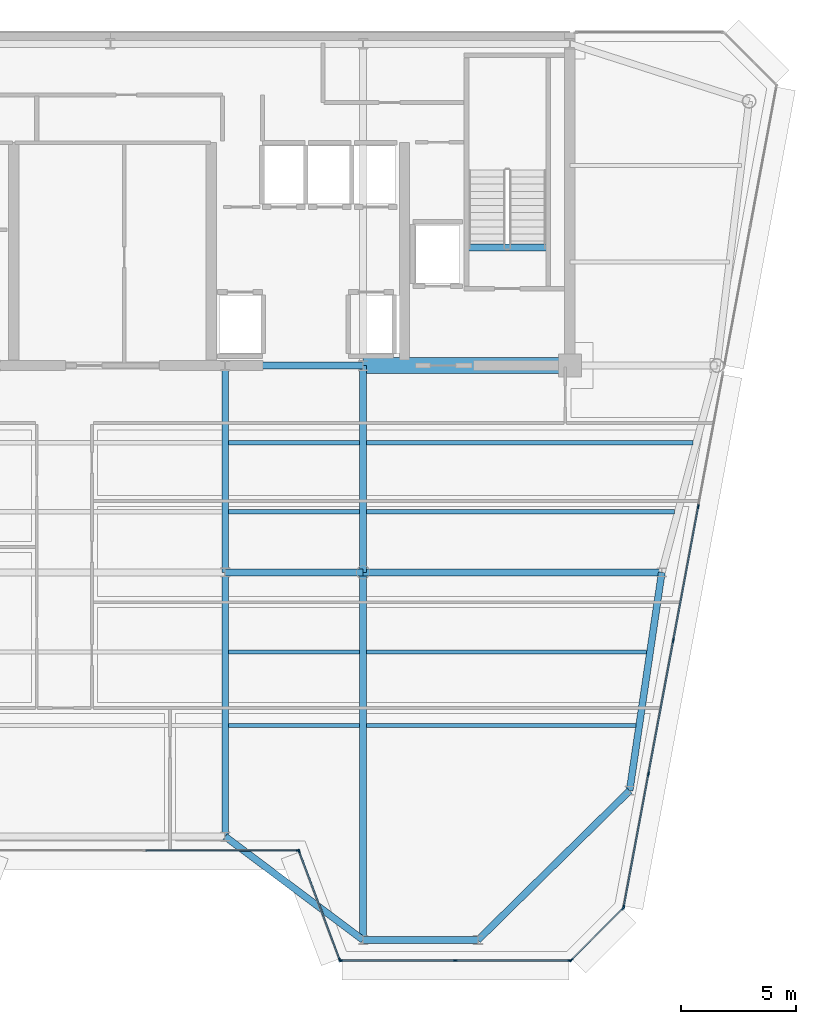
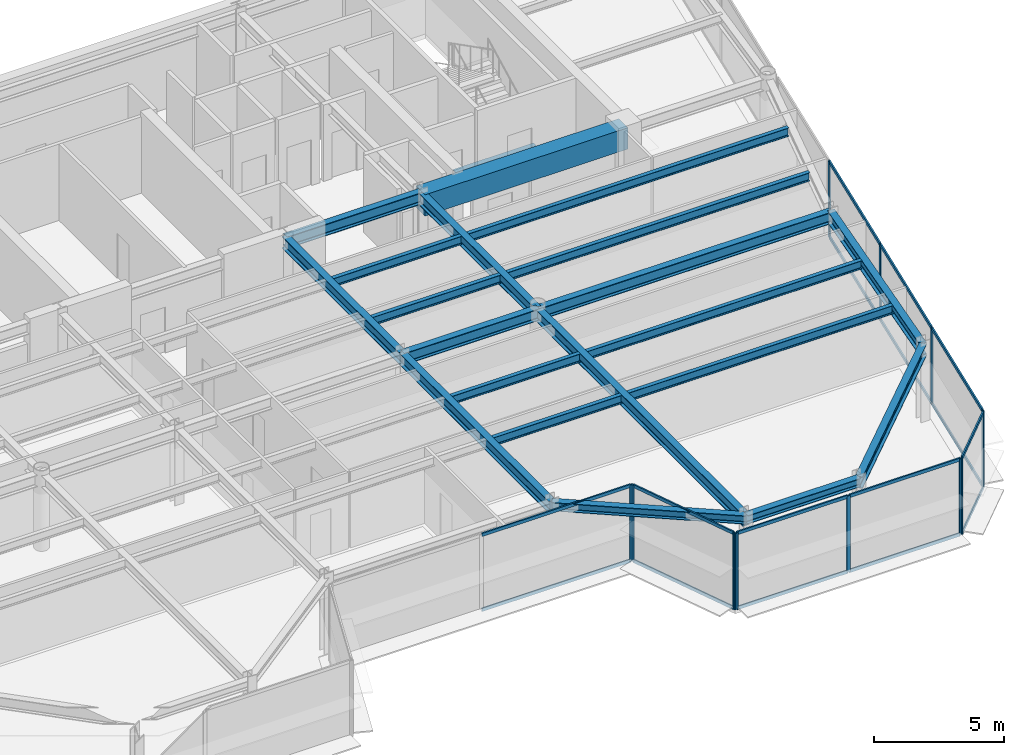
# One storey, part 5 of 18: 28 members, 21 beams, 5 elements without a shape of their own.
"""IFC4 building model written with IfcOpenShell, lengths in metres."""

from ifc_helpers import new_model, si_unit, direction, frame, origin, origin_2d, place, context, subcontext, project, spatial, rectangle, i_section, extrude, source, transform, mapped, material, layer, layer_set, material_profile, profile_set, type_object, element, aggregate, save


model = new_model("IFC4")

# Units and contexts
model_context = context("Model", 3, precision=1e-05, world=origin(), true_north=direction((0.0, 1.0)))
body_context = subcontext(model_context, "Body", "Model", "MODEL_VIEW")
ifc_project = project(units=[si_unit("LENGTHUNIT", "METRE"), si_unit("AREAUNIT", "SQUARE_METRE"), si_unit("VOLUMEUNIT", "CUBIC_METRE"), si_unit("PLANEANGLEUNIT", "RADIAN"), si_unit("MASSUNIT", "GRAM", prefix="KILO")], contexts=[model_context])

# Site, building, storey
site_placement = place(None, origin())
site = spatial("IfcSite", under=ifc_project, at=site_placement, CompositionType="ELEMENT")
building_placement = place(site_placement, origin())
building = spatial("IfcBuilding", under=site, at=building_placement, Name="Vaeldorn Concourse Tower", CompositionType="ELEMENT")
storey_placement = place(building_placement, frame((0.0, 0.0, 261.199951171875)))
storey = spatial("IfcBuildingStorey", under=building, at=storey_placement, Name="L67", CompositionType="ELEMENT", Elevation=261.199951171875)

# Beams
ifc_material_1 = material(Name="Concrete C50/60", Category="concrete")
ifc_material_profile_1 = material_profile(ifc_material_1, rectangle(XDim=0.699951171875, YDim=1.0, at=origin_2d()), Name="RC 700x1000")
ifc_profile_set_1 = profile_set([ifc_material_profile_1], Name="Concrete C50/60")
beam_type_1 = type_object("IfcBeamType", Name="BM-CB-RC700", PredefinedType="BEAM", material=ifc_profile_set_1)
shared_shape_1 = source(origin(), body_context, "Body", "SweptSolid", [
    extrude(rectangle(XDim=0.699951171875, YDim=1.0, at=origin_2d()), origin(), (0.0, 0.0, 1.0), 9.0),
])
beam_1_placement = place(storey_placement, frame((45.0, 36.5, 3.080078125), z_axis=(1.0, 0.0, 0.0), x_axis=(0.0, 1.0, 0.0)))
element("IfcBeam", 1, at=beam_1_placement, inside=storey, type_object=beam_type_1, Name="Core Coupling Beam L67-2", PredefinedType="BEAM", context=body_context, shape_type="MappedRepresentation", body=[
    mapped(shared_shape_1, transform((0.0, 0.0, 0.0), scale=1.0)),
])
ifc_material_2 = material(Name="Steel S355", Category="steel")
ifc_material_profile_2 = material_profile(ifc_material_2, i_section(OverallWidth=0.300048828125, OverallDepth=0.340087890625, WebThickness=0.011962890625, FlangeThickness=0.021484375, FilletRadius=0.027099609375, at=origin_2d()), Name="HEB 340")
ifc_profile_set_2 = profile_set([ifc_material_profile_2], Name="Steel S355")
beam_type_2 = type_object("IfcBeamType", Name="BM-ST-TRIM", PredefinedType="BEAM", material=ifc_profile_set_2)
shared_shape_2 = source(origin(), body_context, "Body", "SweptSolid", [
    extrude(i_section(OverallWidth=0.300048828125, OverallDepth=0.340087890625, WebThickness=0.011962890625, FlangeThickness=0.021484375, FilletRadius=0.027099609375, at=origin_2d()), origin(), (0.0, 0.0, 1.0), 3.590087890625),
])
beam_2_placement = place(storey_placement, frame((49.47998046875, 41.639892578125, -0.389892578125), z_axis=(1.0, 0.0, 0.0), x_axis=(0.0, 1.0, 0.0)))
element("IfcBeam", 2, at=beam_2_placement, inside=storey, type_object=beam_type_2, Name="Stair Landing Trimmer Beam ST-2 L67", PredefinedType="BEAM", context=body_context, shape_type="MappedRepresentation", body=[
    mapped(shared_shape_2, transform((0.0, 0.0, 0.0), scale=1.0)),
])
ifc_material_profile_3 = material_profile(ifc_material_2, i_section(OverallWidth=0.300048828125, OverallDepth=0.39990234375, WebThickness=0.013427734375, FlangeThickness=0.02392578125, FilletRadius=0.027099609375, at=origin_2d()), Name="HEB 400")
ifc_profile_set_3 = profile_set([ifc_material_profile_3], Name="Steel S355")
beam_type_3 = type_object("IfcBeamType", Name="BM-SP-HEB400", PredefinedType="SPANDREL", material=ifc_profile_set_3)
shared_shape_3 = source(origin(), body_context, "Body", "SweptSolid", [
    extrude(i_section(OverallWidth=0.300048828125, OverallDepth=0.39990234375, WebThickness=0.013427734375, FlangeThickness=0.02392578125, FilletRadius=0.027099609375, at=origin_2d()), origin(), (0.0, 0.0, 1.0), 5.0),
])
beam_3_placement = place(storey_placement, frame((45.0, 11.5, 3.380126953125), z_axis=(1.0, 0.0, 0.0), x_axis=(0.0, 1.0, 0.0)))
element("IfcBeam", 3, at=beam_3_placement, inside=storey, type_object=beam_type_3, Name="Beam BM-L67-C-SF5-C-SF6", PredefinedType="SPANDREL", context=body_context, shape_type="MappedRepresentation", body=[
    mapped(shared_shape_3, transform((0.0, 0.0, 0.0), scale=1.0)),
])
shared_shape_4 = source(origin(), body_context, "Body", "SweptSolid", [
    extrude(i_section(OverallWidth=0.300048828125, OverallDepth=0.39990234375, WebThickness=0.013427734375, FlangeThickness=0.02392578125, FilletRadius=0.027099609375, at=origin_2d()), origin(), (0.0, 0.0, 1.0), 7.5),
])
beam_4_placement = place(storey_placement, frame((39.0, 16.0, 3.380126953125), z_axis=(0.8, -0.6, 0.0), x_axis=(0.6, 0.8, 0.0)))
element("IfcBeam", 4, at=beam_4_placement, inside=storey, type_object=beam_type_3, Name="Beam BM-L67-C-SF4-C-SF5", PredefinedType="SPANDREL", context=body_context, shape_type="MappedRepresentation", body=[
    mapped(shared_shape_4, transform((0.0, 0.0, 0.0), scale=1.0)),
])
ifc_material_profile_4 = material_profile(ifc_material_2, i_section(OverallWidth=0.179931640625, OverallDepth=0.39990234375, WebThickness=0.008544921875, FlangeThickness=0.013427734375, FilletRadius=0.02099609375, at=origin_2d()), Name="IPE 400")
ifc_profile_set_4 = profile_set([ifc_material_profile_4], Name="Steel S355")
beam_type_4 = type_object("IfcBeamType", Name="BM-JS-IPE400", PredefinedType="JOIST", material=ifc_profile_set_4)
shared_shape_5 = source(origin(), body_context, "Body", "SweptSolid", [
    extrude(i_section(OverallWidth=0.179931640625, OverallDepth=0.39990234375, WebThickness=0.008544921875, FlangeThickness=0.013427734375, FilletRadius=0.02099609375, at=origin_2d()), origin(), (0.0, 0.0, 1.0), 5.7001953125),
])
for number, where, z_axis, x_axis, name in (
    (5, (39.14990234375, 20.840087890625, 3.380126953125), (1.0, 0.0, 0.0), (0.0, 1.0, 0.0), "Beam JS-L67-E2-208"),
    (6, (39.14990234375, 24.0400390625, 3.380126953125), (1.0, 0.0, 0.0), (0.0, 1.0, 0.0), "Beam JS-L67-E2-240"),
    (7, (39.14990234375, 30.139892578125, 3.380126953125), (1.0, 0.0, 0.0), (0.0, 1.0, 0.0), "Beam JS-L67-E2-301"),
    (8, (39.14990234375, 33.139892578125, 3.380126953125), (1.0, 0.0, 0.0), (0.0, 1.0, 0.0), "Beam JS-L67-E2-331"),
):
    element("IfcBeam", number, at=place(storey_placement, frame(where, z_axis=z_axis, x_axis=x_axis)), inside=storey, type_object=beam_type_4, Name=name, PredefinedType="JOIST", context=body_context, shape_type="MappedRepresentation", body=[
        mapped(shared_shape_5, transform((0.0, 0.0, 0.0), scale=1.0)),
    ])
shared_shape_6 = source(origin(), body_context, "Body", "SweptSolid", [
    extrude(i_section(OverallWidth=0.179931640625, OverallDepth=0.39990234375, WebThickness=0.008544921875, FlangeThickness=0.013427734375, FilletRadius=0.02099609375, at=origin_2d()), origin(), (0.0, 0.0, 1.0), 11.718505859375),
])
beam_5_placement = place(storey_placement, frame((45.14990234375, 20.840087890625, 3.380126953125), z_axis=(1.0, 0.0, 0.0), x_axis=(0.0, 1.0, 0.0)))
element("IfcBeam", 9, at=beam_5_placement, inside=storey, type_object=beam_type_4, Name="Beam JS-L67-E1-208", PredefinedType="JOIST", context=body_context, shape_type="MappedRepresentation", body=[
    mapped(shared_shape_6, transform((0.0, 0.0, 0.0), scale=1.0)),
])
shared_shape_7 = source(origin(), body_context, "Body", "SweptSolid", [
    extrude(i_section(OverallWidth=0.179931640625, OverallDepth=0.39990234375, WebThickness=0.008544921875, FlangeThickness=0.013427734375, FilletRadius=0.02099609375, at=origin_2d()), origin(), (0.0, 0.0, 1.0), 12.190185546875),
])
beam_6_placement = place(storey_placement, frame((45.14990234375, 24.0400390625, 3.380126953125), z_axis=(1.0, 0.0, 0.0), x_axis=(0.0, 1.0, 0.0)))
element("IfcBeam", 10, at=beam_6_placement, inside=storey, type_object=beam_type_4, Name="Beam JS-L67-E1-240", PredefinedType="JOIST", context=body_context, shape_type="MappedRepresentation", body=[
    mapped(shared_shape_7, transform((0.0, 0.0, 0.0), scale=1.0)),
])
shared_shape_8 = source(origin(), body_context, "Body", "SweptSolid", [
    extrude(i_section(OverallWidth=0.179931640625, OverallDepth=0.39990234375, WebThickness=0.008544921875, FlangeThickness=0.013427734375, FilletRadius=0.02099609375, at=origin_2d()), origin(), (0.0, 0.0, 1.0), 13.404052734375),
])
beam_7_placement = place(storey_placement, frame((45.14990234375, 30.139892578125, 3.380126953125), z_axis=(1.0, 0.0, 0.0), x_axis=(0.0, 1.0, 0.0)))
element("IfcBeam", 11, at=beam_7_placement, inside=storey, type_object=beam_type_4, Name="Beam JS-L67-E1-301", PredefinedType="JOIST", context=body_context, shape_type="MappedRepresentation", body=[
    mapped(shared_shape_8, transform((0.0, 0.0, 0.0), scale=1.0)),
])
shared_shape_9 = source(origin(), body_context, "Body", "SweptSolid", [
    extrude(i_section(OverallWidth=0.179931640625, OverallDepth=0.39990234375, WebThickness=0.008544921875, FlangeThickness=0.013427734375, FilletRadius=0.02099609375, at=origin_2d()), origin(), (0.0, 0.0, 1.0), 14.2041015625),
])
beam_8_placement = place(storey_placement, frame((45.14990234375, 33.139892578125, 3.380126953125), z_axis=(1.0, 0.0, 0.0), x_axis=(0.0, 1.0, 0.0)))
element("IfcBeam", 12, at=beam_8_placement, inside=storey, type_object=beam_type_4, Name="Beam JS-L67-E1-331", PredefinedType="JOIST", context=body_context, shape_type="MappedRepresentation", body=[
    mapped(shared_shape_9, transform((0.0, 0.0, 0.0), scale=1.0)),
])
ifc_material_profile_5 = material_profile(ifc_material_2, i_section(OverallWidth=0.300048828125, OverallDepth=0.550048828125, WebThickness=0.014892578125, FlangeThickness=0.029052734375, FilletRadius=0.027099609375, at=origin_2d()), Name="HEB 550")
ifc_profile_set_5 = profile_set([ifc_material_profile_5], Name="Steel S355")
beam_type_5 = type_object("IfcBeamType", Name="BM-PG-HEB550", PredefinedType="BEAM", material=ifc_profile_set_5)
shared_shape_10 = source(origin(), body_context, "Body", "SweptSolid", [
    extrude(i_section(OverallWidth=0.300048828125, OverallDepth=0.550048828125, WebThickness=0.014892578125, FlangeThickness=0.029052734375, FilletRadius=0.027099609375, at=origin_2d()), origin(), (0.0, 0.0, 1.0), 6.0),
])
for number, where, z_axis, x_axis, name in (
    (13, (39.0, 36.5, 3.304931640625), (1.0, 0.0, 0.0), (0.0, 1.0, 0.0), "Beam BM-L67-C-FC4-C-FC5"),
    (14, (39.0, 27.5, 3.304931640625), (1.0, 0.0, 0.0), (0.0, 1.0, 0.0), "Beam BM-L67-C-TW3-C-TW4"),
):
    element("IfcBeam", number, at=place(storey_placement, frame(where, z_axis=z_axis, x_axis=x_axis)), inside=storey, type_object=beam_type_5, Name=name, PredefinedType="BEAM", context=body_context, shape_type="MappedRepresentation", body=[
        mapped(shared_shape_10, transform((0.0, 0.0, 0.0), scale=1.0)),
    ])
shared_shape_11 = source(origin(), body_context, "Body", "SweptSolid", [
    extrude(i_section(OverallWidth=0.300048828125, OverallDepth=0.550048828125, WebThickness=0.014892578125, FlangeThickness=0.029052734375, FilletRadius=0.027099609375, at=origin_2d()), origin(), (0.0, 0.0, 1.0), 9.0),
])
for number, where, z_axis, x_axis, name in (
    (15, (39.0, 27.5, 3.304931640625), (0.0, 1.0, 0.0), (-1.0, 0.0, 0.0), "Beam BM-L67-C-TW3-C-FC4"),
    (16, (45.0, 27.5, 3.304931640625), (0.0, 1.0, 0.0), (-1.0, 0.0, 0.0), "Beam BM-L67-C-TW4-C-FC5"),
):
    element("IfcBeam", number, at=place(storey_placement, frame(where, z_axis=z_axis, x_axis=x_axis)), inside=storey, type_object=beam_type_5, Name=name, PredefinedType="BEAM", context=body_context, shape_type="MappedRepresentation", body=[
        mapped(shared_shape_11, transform((0.0, 0.0, 0.0), scale=1.0)),
    ])
shared_shape_12 = source(origin(), body_context, "Body", "SweptSolid", [
    extrude(i_section(OverallWidth=0.300048828125, OverallDepth=0.550048828125, WebThickness=0.014892578125, FlangeThickness=0.029052734375, FilletRadius=0.027099609375, at=origin_2d()), origin(), (0.0, 0.0, 1.0), 13.0),
])
beam_9_placement = place(storey_placement, frame((45.0, 27.5, 3.304931640625), z_axis=(1.0, 0.0, 0.0), x_axis=(0.0, 1.0, 0.0)))
element("IfcBeam", 17, at=beam_9_placement, inside=storey, type_object=beam_type_5, Name="Beam BM-L67-C-TW4-C-FLE1", PredefinedType="BEAM", context=body_context, shape_type="MappedRepresentation", body=[
    mapped(shared_shape_12, transform((0.0, 0.0, 0.0), scale=1.0)),
])
shared_shape_13 = source(origin(), body_context, "Body", "SweptSolid", [
    extrude(i_section(OverallWidth=0.300048828125, OverallDepth=0.550048828125, WebThickness=0.014892578125, FlangeThickness=0.029052734375, FilletRadius=0.027099609375, at=origin_2d()), origin(), (0.0, 0.0, 1.0), 9.6025390625),
])
beam_10_placement = place(storey_placement, frame((58.0, 27.5, 3.304931640625), z_axis=(-0.145783835977, -0.989316467652, 0.0), x_axis=(0.989316467652, -0.145783835977, 0.0)))
element("IfcBeam", 18, at=beam_10_placement, inside=storey, type_object=beam_type_5, Name="Beam BM-L67-C-FLE1-C-FLE2", PredefinedType="BEAM", context=body_context, shape_type="MappedRepresentation", body=[
    mapped(shared_shape_13, transform((0.0, 0.0, 0.0), scale=1.0)),
])
shared_shape_14 = source(origin(), body_context, "Body", "SweptSolid", [
    extrude(i_section(OverallWidth=0.300048828125, OverallDepth=0.550048828125, WebThickness=0.014892578125, FlangeThickness=0.029052734375, FilletRadius=0.027099609375, at=origin_2d()), origin(), (0.0, 0.0, 1.0), 9.263427734375),
])
beam_11_placement = place(storey_placement, frame((50.0, 11.5, 3.304931640625), z_axis=(0.71248897494, 0.701683305053, 0.0), x_axis=(-0.701683305053, 0.71248897494, 0.0)))
element("IfcBeam", 19, at=beam_11_placement, inside=storey, type_object=beam_type_5, Name="Beam BM-L67-C-SF6-C-FLE2", PredefinedType="BEAM", context=body_context, shape_type="MappedRepresentation", body=[
    mapped(shared_shape_14, transform((0.0, 0.0, 0.0), scale=1.0)),
])
shared_shape_15 = source(origin(), body_context, "Body", "SweptSolid", [
    extrude(i_section(OverallWidth=0.300048828125, OverallDepth=0.550048828125, WebThickness=0.014892578125, FlangeThickness=0.029052734375, FilletRadius=0.027099609375, at=origin_2d()), origin(), (0.0, 0.0, 1.0), 16.0),
])
beam_12_placement = place(storey_placement, frame((45.0, 11.5, 3.304931640625), z_axis=(0.0, 1.0, 0.0), x_axis=(-1.0, 0.0, 0.0)))
element("IfcBeam", 20, at=beam_12_placement, inside=storey, type_object=beam_type_5, Name="Beam BM-L67-C-SF5-C-TW4", PredefinedType="BEAM", context=body_context, shape_type="MappedRepresentation", body=[
    mapped(shared_shape_15, transform((0.0, 0.0, 0.0), scale=1.0)),
])
shared_shape_16 = source(origin(), body_context, "Body", "SweptSolid", [
    extrude(i_section(OverallWidth=0.300048828125, OverallDepth=0.550048828125, WebThickness=0.014892578125, FlangeThickness=0.029052734375, FilletRadius=0.027099609375, at=origin_2d()), origin(), (0.0, 0.0, 1.0), 11.5),
])
beam_13_placement = place(storey_placement, frame((39.0, 16.0, 3.304931640625), z_axis=(0.0, 1.0, 0.0), x_axis=(-1.0, 0.0, 0.0)))
element("IfcBeam", 21, at=beam_13_placement, inside=storey, type_object=beam_type_5, Name="Beam BM-L67-C-SF4-C-TW3", PredefinedType="BEAM", context=body_context, shape_type="MappedRepresentation", body=[
    mapped(shared_shape_16, transform((0.0, 0.0, 0.0), scale=1.0)),
])

# Curtain wall, members
ifc_material_3 = material(Name="Anodised Bronze Aluminium", Category="aluminium")
ifc_layer = layer(ifc_material_3, 0.179931640625)
ifc_layer_set = layer_set([ifc_layer], Name="Anodised Bronze Aluminium")
curtain_wall_type = type_object("IfcCurtainWallType", Name="CW-SYS-05", PredefinedType="NOTDEFINED", material=ifc_layer_set)
curtain_wall_1_placement = place(storey_placement, origin())
curtain_wall_1 = element("IfcCurtainWall", 22, at=curtain_wall_1_placement, inside=storey, type_object=curtain_wall_type, Name="Unitised Curtain Wall CW-L67-E04-1", PredefinedType="NOTDEFINED")
ifc_material_profile_6 = material_profile(ifc_material_3, rectangle(XDim=0.06494140625, YDim=0.14990234375, at=origin_2d()), Name="CWT 65x150")
ifc_profile_set_6 = profile_set([ifc_material_profile_6], Name="Anodised Bronze Aluminium")
member_type_1 = type_object("IfcMemberType", Name="CWT-BRONZE-150", PredefinedType="USERDEFINED", material=ifc_profile_set_6)
shared_shape_17 = source(origin(), body_context, "Body", "SweptSolid", [
    extrude(rectangle(XDim=0.06494140625, YDim=0.14990234375, at=origin_2d()), origin(), (0.0, 0.0, 1.0), 4.996337890625),
])
member_1_placement = place(storey_placement, frame((42.222900390625, 15.339111328125, 0.032470703125), z_axis=(0.351134151405, -0.936325161318, 0.0), x_axis=(0.936325161318, 0.351134151405, 0.0)))
member_1 = element("IfcMember", 23, at=member_1_placement, type_object=member_type_1, Name="CW-05 transom 1.1", ObjectType="TRANSOM", PredefinedType="USERDEFINED", context=body_context, shape_type="MappedRepresentation", body=[
    mapped(shared_shape_17, transform((0.0, 0.0, 0.0), scale=1.0)),
])
member_2_placement = place(storey_placement, frame((42.222900390625, 15.339111328125, 3.547607421875), z_axis=(0.351134151405, -0.936325161318, 0.0), x_axis=(0.936325161318, 0.351134151405, 0.0)))
member_2 = element("IfcMember", 24, at=member_2_placement, type_object=member_type_1, Name="CW-05 transom 1.2", ObjectType="TRANSOM", PredefinedType="USERDEFINED", context=body_context, shape_type="MappedRepresentation", body=[
    mapped(shared_shape_17, transform((0.0, 0.0, 0.0), scale=1.0)),
])

curtain_wall_2_placement = place(storey_placement, origin())
curtain_wall_2 = element("IfcCurtainWall", 25, at=curtain_wall_2_placement, inside=storey, type_object=curtain_wall_type, Name="Unitised Curtain Wall CW-L67-E03-1", PredefinedType="NOTDEFINED")
shared_shape_18 = source(origin(), body_context, "Body", "SweptSolid", [
    extrude(rectangle(XDim=0.06494140625, YDim=0.14990234375, at=origin_2d()), origin(), (0.0, 0.0, 1.0), 6.6025390625),
])
member_3_placement = place(storey_placement, frame((35.532470703125, 15.39990234375, 0.032470703125), z_axis=(1.0, 0.0, 0.0), x_axis=(0.0, 1.0, 0.0)))
member_3 = element("IfcMember", 26, at=member_3_placement, type_object=member_type_1, Name="CW-05 transom 2.1", ObjectType="TRANSOM", PredefinedType="USERDEFINED", context=body_context, shape_type="MappedRepresentation", body=[
    mapped(shared_shape_18, transform((0.0, 0.0, 0.0), scale=1.0)),
])
member_4_placement = place(storey_placement, frame((35.532470703125, 15.39990234375, 3.547607421875), z_axis=(1.0, 0.0, 0.0), x_axis=(0.0, 1.0, 0.0)))
member_4 = element("IfcMember", 27, at=member_4_placement, type_object=member_type_1, Name="CW-05 transom 2.2", ObjectType="TRANSOM", PredefinedType="USERDEFINED", context=body_context, shape_type="MappedRepresentation", body=[
    mapped(shared_shape_18, transform((0.0, 0.0, 0.0), scale=1.0)),
])

curtain_wall_3_placement = place(storey_placement, origin())
curtain_wall_3 = element("IfcCurtainWall", 28, at=curtain_wall_3_placement, inside=storey, type_object=curtain_wall_type, Name="Unitised Curtain Wall CW-L67-E06-1", PredefinedType="NOTDEFINED")
shared_shape_19 = source(origin(), body_context, "Body", "SweptSolid", [
    extrude(rectangle(XDim=0.06494140625, YDim=0.14990234375, at=origin_2d()), origin(), (0.0, 0.0, 1.0), 3.12255859375),
])
member_5_placement = place(storey_placement, frame((54.080078125, 10.64599609375, 0.032470703125), z_axis=(0.707106781187, 0.707106781187, 0.0), x_axis=(-0.707106781187, 0.707106781187, 0.0)))
member_5 = element("IfcMember", 29, at=member_5_placement, type_object=member_type_1, Name="CW-05 transom 1.1", ObjectType="TRANSOM", PredefinedType="USERDEFINED", context=body_context, shape_type="MappedRepresentation", body=[
    mapped(shared_shape_19, transform((0.0, 0.0, 0.0), scale=1.0)),
])
member_6_placement = place(storey_placement, frame((54.080078125, 10.64599609375, 3.547607421875), z_axis=(0.707106781187, 0.707106781187, 0.0), x_axis=(-0.707106781187, 0.707106781187, 0.0)))
member_6 = element("IfcMember", 30, at=member_6_placement, type_object=member_type_1, Name="CW-05 transom 1.2", ObjectType="TRANSOM", PredefinedType="USERDEFINED", context=body_context, shape_type="MappedRepresentation", body=[
    mapped(shared_shape_19, transform((0.0, 0.0, 0.0), scale=1.0)),
])

# Member
ifc_material_profile_7 = material_profile(ifc_material_3, rectangle(XDim=0.06494140625, YDim=0.169921875, at=origin_2d()), Name="CWM 65x170")
ifc_profile_set_7 = profile_set([ifc_material_profile_7], Name="Anodised Bronze Aluminium")
member_type_2 = type_object("IfcMemberType", Name="CWM-BRONZE-170", PredefinedType="MULLION", material=ifc_profile_set_7)
shared_shape_20 = source(origin(), body_context, "Body", "SweptSolid", [
    extrude(rectangle(XDim=0.06494140625, YDim=0.169921875, at=origin_2d()), origin(), (0.0, 0.0, 1.0), 3.580078125),
])
member_7_placement = place(storey_placement, frame((42.16748046875, 15.39990234375, 0.0), z_axis=(0.0, 0.0, 1.0), x_axis=(0.0, 1.0, 0.0)))
member_7 = element("IfcMember", 31, at=member_7_placement, type_object=member_type_2, Name="CW-05 mullion 3", PredefinedType="MULLION", context=body_context, shape_type="MappedRepresentation", body=[
    mapped(shared_shape_20, transform((0.0, 0.0, 0.0), scale=1.0)),
])

aggregate(curtain_wall_2, [member_7, member_3, member_4])

member_8_placement = place(storey_placement, frame((42.21142578125, 15.36962890625, 0.0), z_axis=(0.0, 0.0, 1.0), x_axis=(0.936329177566, 0.351123441595, 0.0)))
member_8 = element("IfcMember", 32, at=member_8_placement, type_object=member_type_2, Name="CW-05 mullion 1", PredefinedType="MULLION", context=body_context, shape_type="MappedRepresentation", body=[
    mapped(shared_shape_20, transform((0.0, 0.0, 0.0), scale=1.0)),
])

member_9_placement = place(storey_placement, frame((43.988525390625, 10.63037109375, 0.0), z_axis=(0.0, 0.0, 1.0), x_axis=(0.936329177566, 0.351123441595, 0.0)))
member_9 = element("IfcMember", 33, at=member_9_placement, type_object=member_type_2, Name="CW-05 mullion 2", PredefinedType="MULLION", context=body_context, shape_type="MappedRepresentation", body=[
    mapped(shared_shape_20, transform((0.0, 0.0, 0.0), scale=1.0)),
])

aggregate(curtain_wall_1, [member_8, member_9, member_1, member_2])

# Curtain wall, members
curtain_wall_4_placement = place(storey_placement, origin())
curtain_wall_4 = element("IfcCurtainWall", 34, at=curtain_wall_4_placement, inside=storey, type_object=curtain_wall_type, Name="Unitised Curtain Wall CW-L67-E05-1", PredefinedType="NOTDEFINED")
member_10_placement = place(storey_placement, frame((44.032470703125, 10.60009765625, 0.0), z_axis=(0.0, 0.0, 1.0), x_axis=(0.0, 1.0, 0.0)))
member_10 = element("IfcMember", 35, at=member_10_placement, type_object=member_type_2, Name="CW-05 mullion 1", PredefinedType="MULLION", context=body_context, shape_type="MappedRepresentation", body=[
    mapped(shared_shape_20, transform((0.0, 0.0, 0.0), scale=1.0)),
])
member_11_placement = place(storey_placement, frame((49.01708984375, 10.60009765625, 0.0), z_axis=(0.0, 0.0, 1.0), x_axis=(0.0, 1.0, 0.0)))
member_11 = element("IfcMember", 36, at=member_11_placement, type_object=member_type_2, Name="CW-05 mullion 2", PredefinedType="MULLION", context=body_context, shape_type="MappedRepresentation", body=[
    mapped(shared_shape_20, transform((0.0, 0.0, 0.0), scale=1.0)),
])
member_12_placement = place(storey_placement, frame((54.00146484375, 10.60009765625, 0.0), z_axis=(0.0, 0.0, 1.0), x_axis=(0.0, 1.0, 0.0)))
member_12 = element("IfcMember", 37, at=member_12_placement, type_object=member_type_2, Name="CW-05 mullion 3", PredefinedType="MULLION", context=body_context, shape_type="MappedRepresentation", body=[
    mapped(shared_shape_20, transform((0.0, 0.0, 0.0), scale=1.0)),
])

# Member
member_13_placement = place(storey_placement, frame((54.056884765625, 10.623046875, 0.0), z_axis=(0.0, 0.0, 1.0), x_axis=(-0.707106781187, 0.707106781187, 0.0)))
member_13 = element("IfcMember", 38, at=member_13_placement, type_object=member_type_2, Name="CW-05 mullion 1", PredefinedType="MULLION", context=body_context, shape_type="MappedRepresentation", body=[
    mapped(shared_shape_20, transform((0.0, 0.0, 0.0), scale=1.0)),
])

member_14_placement = place(storey_placement, frame((56.31103515625, 12.876953125, 0.0), z_axis=(0.0, 0.0, 1.0), x_axis=(-0.707106781187, 0.707106781187, 0.0)))
member_14 = element("IfcMember", 39, at=member_14_placement, type_object=member_type_2, Name="CW-05 mullion 2", PredefinedType="MULLION", context=body_context, shape_type="MappedRepresentation", body=[
    mapped(shared_shape_20, transform((0.0, 0.0, 0.0), scale=1.0)),
])

aggregate(curtain_wall_3, [member_13, member_14, member_5, member_6])

# Curtain wall, members
curtain_wall_5_placement = place(storey_placement, origin())
curtain_wall_5 = element("IfcCurtainWall", 40, at=curtain_wall_5_placement, inside=storey, type_object=curtain_wall_type, Name="Unitised Curtain Wall CW-L67-E07-1", PredefinedType="NOTDEFINED")
member_15_placement = place(storey_placement, frame((56.33984375, 12.931884765625, 0.0), z_axis=(0.0, 0.0, 1.0), x_axis=(-0.983102653673, 0.18305510739, 0.0)))
member_15 = element("IfcMember", 41, at=member_15_placement, type_object=member_type_2, Name="CW-05 mullion 1", PredefinedType="MULLION", context=body_context, shape_type="MappedRepresentation", body=[
    mapped(shared_shape_20, transform((0.0, 0.0, 0.0), scale=1.0)),
])
member_16_placement = place(storey_placement, frame((57.41796875, 18.72119140625, 0.0), z_axis=(0.0, 0.0, 1.0), x_axis=(-0.983102653673, 0.18305510739, 0.0)))
member_16 = element("IfcMember", 42, at=member_16_placement, type_object=member_type_2, Name="CW-05 mullion 2", PredefinedType="MULLION", context=body_context, shape_type="MappedRepresentation", body=[
    mapped(shared_shape_20, transform((0.0, 0.0, 0.0), scale=1.0)),
])
member_17_placement = place(storey_placement, frame((58.501953125, 24.54248046875, 0.0), z_axis=(0.0, 0.0, 1.0), x_axis=(-0.983102653673, 0.18305510739, 0.0)))
member_17 = element("IfcMember", 43, at=member_17_placement, type_object=member_type_2, Name="CW-05 mullion 3", PredefinedType="MULLION", context=body_context, shape_type="MappedRepresentation", body=[
    mapped(shared_shape_20, transform((0.0, 0.0, 0.0), scale=1.0)),
])
member_18_placement = place(storey_placement, frame((59.585693359375, 30.36376953125, 0.0), z_axis=(0.0, 0.0, 1.0), x_axis=(-0.983102653673, 0.18305510739, 0.0)))
member_18 = element("IfcMember", 44, at=member_18_placement, type_object=member_type_2, Name="CW-05 mullion 4", PredefinedType="MULLION", context=body_context, shape_type="MappedRepresentation", body=[
    mapped(shared_shape_20, transform((0.0, 0.0, 0.0), scale=1.0)),
])
shared_shape_21 = source(origin(), body_context, "Body", "SweptSolid", [
    extrude(rectangle(XDim=0.06494140625, YDim=0.14990234375, at=origin_2d()), origin(), (0.0, 0.0, 1.0), 5.82373046875),
])
member_19_placement = place(storey_placement, frame((56.345947265625, 12.9638671875, 0.032470703125), z_axis=(0.183030414843, 0.983107251139, 0.0), x_axis=(-0.983107251139, 0.183030414843, 0.0)))
member_19 = element("IfcMember", 45, at=member_19_placement, type_object=member_type_1, Name="CW-05 transom 1.1", ObjectType="TRANSOM", PredefinedType="USERDEFINED", context=body_context, shape_type="MappedRepresentation", body=[
    mapped(shared_shape_21, transform((0.0, 0.0, 0.0), scale=1.0)),
])
member_20_placement = place(storey_placement, frame((56.345947265625, 12.9638671875, 3.547607421875), z_axis=(0.183030414843, 0.983107251139, 0.0), x_axis=(-0.983107251139, 0.183030414843, 0.0)))
member_20 = element("IfcMember", 46, at=member_20_placement, type_object=member_type_1, Name="CW-05 transom 1.2", ObjectType="TRANSOM", PredefinedType="USERDEFINED", context=body_context, shape_type="MappedRepresentation", body=[
    mapped(shared_shape_21, transform((0.0, 0.0, 0.0), scale=1.0)),
])
shared_shape_22 = source(origin(), body_context, "Body", "SweptSolid", [
    extrude(rectangle(XDim=0.06494140625, YDim=0.14990234375, at=origin_2d()), origin(), (0.0, 0.0, 1.0), 5.856201171875),
])
member_21_placement = place(storey_placement, frame((57.423828125, 18.753173828125, 0.032470703125), z_axis=(0.18305503402, 0.983102667334, 0.0), x_axis=(-0.983102667334, 0.18305503402, 0.0)))
member_21 = element("IfcMember", 47, at=member_21_placement, type_object=member_type_1, Name="CW-05 transom 2.1", ObjectType="TRANSOM", PredefinedType="USERDEFINED", context=body_context, shape_type="MappedRepresentation", body=[
    mapped(shared_shape_22, transform((0.0, 0.0, 0.0), scale=1.0)),
])
member_22_placement = place(storey_placement, frame((57.423828125, 18.753173828125, 3.547607421875), z_axis=(0.18305503402, 0.983102667334, 0.0), x_axis=(-0.983102667334, 0.18305503402, 0.0)))
member_22 = element("IfcMember", 48, at=member_22_placement, type_object=member_type_1, Name="CW-05 transom 2.2", ObjectType="TRANSOM", PredefinedType="USERDEFINED", context=body_context, shape_type="MappedRepresentation", body=[
    mapped(shared_shape_22, transform((0.0, 0.0, 0.0), scale=1.0)),
])
member_23_placement = place(storey_placement, frame((58.5078125, 24.574462890625, 0.032470703125), z_axis=(0.18305503402, 0.983102667334, 0.0), x_axis=(-0.983102667334, 0.18305503402, 0.0)))
member_23 = element("IfcMember", 49, at=member_23_placement, type_object=member_type_1, Name="CW-05 transom 3.1", ObjectType="TRANSOM", PredefinedType="USERDEFINED", context=body_context, shape_type="MappedRepresentation", body=[
    mapped(shared_shape_22, transform((0.0, 0.0, 0.0), scale=1.0)),
])
member_24_placement = place(storey_placement, frame((58.5078125, 24.574462890625, 3.547607421875), z_axis=(0.18305503402, 0.983102667334, 0.0), x_axis=(-0.983102667334, 0.18305503402, 0.0)))
member_24 = element("IfcMember", 50, at=member_24_placement, type_object=member_type_1, Name="CW-05 transom 3.2", ObjectType="TRANSOM", PredefinedType="USERDEFINED", context=body_context, shape_type="MappedRepresentation", body=[
    mapped(shared_shape_22, transform((0.0, 0.0, 0.0), scale=1.0)),
])
aggregate(curtain_wall_5, [member_15, member_16, member_17, member_18, member_19, member_20, member_21, member_22, member_23, member_24])

# Member
shared_shape_23 = source(origin(), body_context, "Body", "SweptSolid", [
    extrude(rectangle(XDim=0.06494140625, YDim=0.14990234375, at=origin_2d()), origin(), (0.0, 0.0, 1.0), 4.919677734375),
])
member_25_placement = place(storey_placement, frame((44.06494140625, 10.60009765625, 0.032470703125), z_axis=(1.0, 0.0, 0.0), x_axis=(0.0, 1.0, 0.0)))
member_25 = element("IfcMember", 51, at=member_25_placement, type_object=member_type_1, Name="CW-05 transom 1.1", ObjectType="TRANSOM", PredefinedType="USERDEFINED", context=body_context, shape_type="MappedRepresentation", body=[
    mapped(shared_shape_23, transform((0.0, 0.0, 0.0), scale=1.0)),
])

member_26_placement = place(storey_placement, frame((44.06494140625, 10.60009765625, 3.547607421875), z_axis=(1.0, 0.0, 0.0), x_axis=(0.0, 1.0, 0.0)))
member_26 = element("IfcMember", 52, at=member_26_placement, type_object=member_type_1, Name="CW-05 transom 1.2", ObjectType="TRANSOM", PredefinedType="USERDEFINED", context=body_context, shape_type="MappedRepresentation", body=[
    mapped(shared_shape_23, transform((0.0, 0.0, 0.0), scale=1.0)),
])

shared_shape_24 = source(origin(), body_context, "Body", "SweptSolid", [
    extrude(rectangle(XDim=0.06494140625, YDim=0.14990234375, at=origin_2d()), origin(), (0.0, 0.0, 1.0), 4.91943359375),
])
member_27_placement = place(storey_placement, frame((49.049560546875, 10.60009765625, 0.032470703125), z_axis=(1.0, 0.0, 0.0), x_axis=(0.0, 1.0, 0.0)))
member_27 = element("IfcMember", 53, at=member_27_placement, type_object=member_type_1, Name="CW-05 transom 2.1", ObjectType="TRANSOM", PredefinedType="USERDEFINED", context=body_context, shape_type="MappedRepresentation", body=[
    mapped(shared_shape_24, transform((0.0, 0.0, 0.0), scale=1.0)),
])

member_28_placement = place(storey_placement, frame((49.049560546875, 10.60009765625, 3.547607421875), z_axis=(1.0, 0.0, 0.0), x_axis=(0.0, 1.0, 0.0)))
member_28 = element("IfcMember", 54, at=member_28_placement, type_object=member_type_1, Name="CW-05 transom 2.2", ObjectType="TRANSOM", PredefinedType="USERDEFINED", context=body_context, shape_type="MappedRepresentation", body=[
    mapped(shared_shape_24, transform((0.0, 0.0, 0.0), scale=1.0)),
])

aggregate(curtain_wall_4, [member_10, member_11, member_12, member_25, member_26, member_27, member_28])

save(model, "model.ifc")
